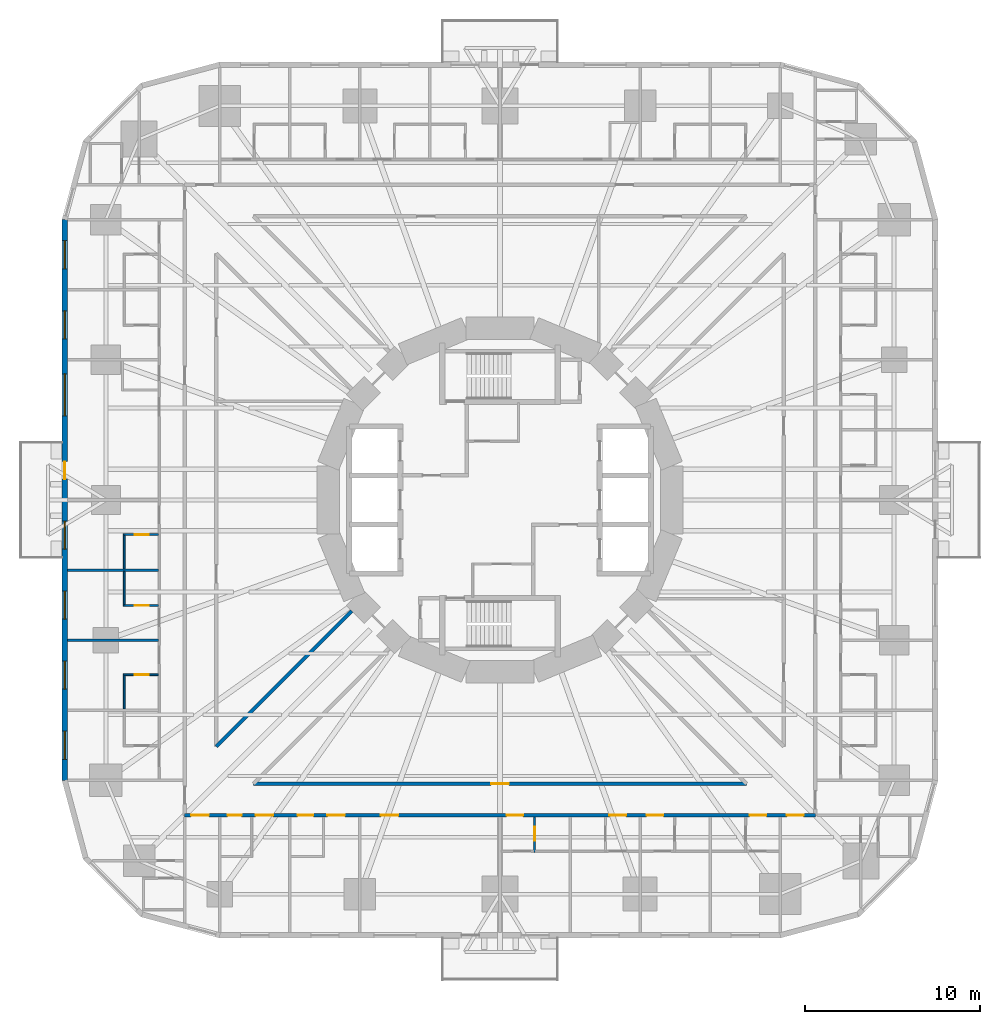
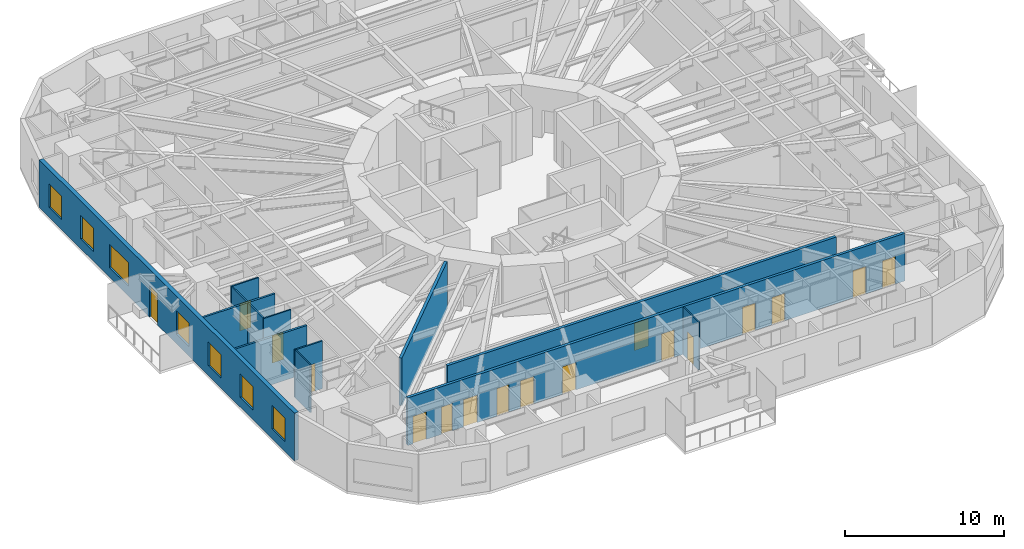
# One storey, part 5 of 14: 17 doors, 13 walls, 7 windows, 24 openings.
"""IFC4 building model written with IfcOpenShell, lengths in metres."""

from ifc_helpers import new_model, si_unit, direction, frame, frame_2d, origin, place, context, subcontext, project, spatial, rectangle, extrude, material, layer, layer_set, type_object, element, fill, save


model = new_model("IFC4")

# Units and contexts
model_context = context("Model", 3, precision=1e-05, world=origin(), true_north=direction((0.0, 1.0)))
body_context = subcontext(model_context, "Body", "Model", "MODEL_VIEW")
ifc_project = project(units=[si_unit("LENGTHUNIT", "METRE"), si_unit("AREAUNIT", "SQUARE_METRE"), si_unit("VOLUMEUNIT", "CUBIC_METRE"), si_unit("PLANEANGLEUNIT", "RADIAN"), si_unit("MASSUNIT", "GRAM", prefix="KILO")], contexts=[model_context])

# Site, building, storey
site_placement = place(None, origin())
site = spatial("IfcSite", under=ifc_project, at=site_placement, CompositionType="ELEMENT")
building_placement = place(site_placement, origin())
building = spatial("IfcBuilding", under=site, at=building_placement, Name="Nakasero Lantern House", CompositionType="ELEMENT")
storey_placement = place(building_placement, frame((0.0, 0.0, 39.10009765625)))
storey = spatial("IfcBuildingStorey", under=building, at=storey_placement, Name="L09", CompositionType="ELEMENT", Elevation=39.10009765625)

# Wall, openings, doors
ifc_material_1 = material(Name="Blockwork", Category="masonry")
ifc_layer_1 = layer(ifc_material_1, 0.199951171875)
ifc_layer_set_1 = layer_set([ifc_layer_1], Name="Corridor wall 200")
wall_type_1 = type_object("IfcWallType", Name="Corridor wall 200", PredefinedType="PARTITIONING", material=ifc_layer_set_1)
wall_1_placement = place(storey_placement, frame((-18.0, -18.0, 0.0), z_axis=(0.0, 0.0, 1.0), x_axis=(1.0, 0.0, 0.0)))
wall_1 = element("IfcWall", 1, at=wall_1_placement, inside=storey, type_object=wall_type_1, Name="Corridor wall L09 CW3", PredefinedType="PARTITIONING", context=body_context, shape_type="SweptSolid", body=[
    extrude(rectangle(XDim=36.0, YDim=0.199951171875, at=frame_2d((18.0, 0.0))), origin(), (0.0, 0.0, 1.0), 3.64990234375),
])
opening_1_placement = place(wall_1_placement, frame((0.375, 0.0, 0.0)))
opening_1 = element("IfcOpeningElement", 2, at=opening_1_placement, cuts=wall_1, Name="Opening D07", PredefinedType="OPENING", context=body_context, shape_type="SweptSolid", body=[
    extrude(rectangle(XDim=1.0, YDim=2.10009765625, at=frame_2d((0.5, 1.050048828125))), frame((0.0, 0.119873046875, 0.0), z_axis=(0.0, -1.0, 0.0), x_axis=(1.0, 0.0, 0.0)), (0.0, 0.0, 1.0), 0.239990234375),
])
opening_2_placement = place(wall_1_placement, frame((2.449951171875, 0.0, 0.0)))
opening_2 = element("IfcOpeningElement", 3, at=opening_2_placement, cuts=wall_1, Name="Opening D15", PredefinedType="OPENING", context=body_context, shape_type="SweptSolid", body=[
    extrude(rectangle(XDim=0.800048828125, YDim=2.10009765625, at=frame_2d((0.39990234375, 1.050048828125))), frame((0.0, 0.119873046875, 0.0), z_axis=(0.0, -1.0, 0.0), x_axis=(1.0, 0.0, 0.0)), (0.0, 0.0, 1.0), 0.239990234375),
])
opening_3_placement = place(wall_1_placement, frame((4.050048828125, 0.0, 0.0)))
opening_3 = element("IfcOpeningElement", 4, at=opening_3_placement, cuts=wall_1, Name="Opening D07", PredefinedType="OPENING", context=body_context, shape_type="SweptSolid", body=[
    extrude(rectangle(XDim=1.0, YDim=2.10009765625, at=frame_2d((0.5, 1.050048828125))), frame((0.0, 0.119873046875, 0.0), z_axis=(0.0, -1.0, 0.0), x_axis=(1.0, 0.0, 0.0)), (0.0, 0.0, 1.0), 0.239990234375),
])
opening_4_placement = place(wall_1_placement, frame((6.449951171875, 0.0, 0.0)))
opening_4 = element("IfcOpeningElement", 5, at=opening_4_placement, cuts=wall_1, Name="Opening D16", PredefinedType="OPENING", context=body_context, shape_type="SweptSolid", body=[
    extrude(rectangle(XDim=0.89990234375, YDim=2.10009765625, at=frame_2d((0.449951171875, 1.050048828125))), frame((0.0, 0.119873046875, 0.0), z_axis=(0.0, -1.0, 0.0), x_axis=(1.0, 0.0, 0.0)), (0.0, 0.0, 1.0), 0.239990234375),
])
opening_5_placement = place(wall_1_placement, frame((8.14990234375, 0.0, 0.0)))
opening_5 = element("IfcOpeningElement", 6, at=opening_5_placement, cuts=wall_1, Name="Opening D07", PredefinedType="OPENING", context=body_context, shape_type="SweptSolid", body=[
    extrude(rectangle(XDim=1.0, YDim=2.10009765625, at=frame_2d((0.5, 1.050048828125))), frame((0.0, 0.119873046875, 0.0), z_axis=(0.0, -1.0, 0.0), x_axis=(1.0, 0.0, 0.0)), (0.0, 0.0, 1.0), 0.239990234375),
])
opening_6_placement = place(wall_1_placement, frame((18.375, 0.0, 0.0)))
opening_6 = element("IfcOpeningElement", 7, at=opening_6_placement, cuts=wall_1, Name="Opening D01", PredefinedType="OPENING", context=body_context, shape_type="SweptSolid", body=[
    extrude(rectangle(XDim=0.949951171875, YDim=2.10009765625, at=frame_2d((0.47509765625, 1.050048828125))), frame((0.0, 0.119873046875, 0.0), z_axis=(0.0, -1.0, 0.0), x_axis=(1.0, 0.0, 0.0)), (0.0, 0.0, 1.0), 0.239990234375),
])
opening_7_placement = place(wall_1_placement, frame((24.25, 0.0, 0.0)))
opening_7 = element("IfcOpeningElement", 8, at=opening_7_placement, cuts=wall_1, Name="Opening D01", PredefinedType="OPENING", context=body_context, shape_type="SweptSolid", body=[
    extrude(rectangle(XDim=0.949951171875, YDim=2.10009765625, at=frame_2d((0.47509765625, 1.050048828125))), frame((0.0, 0.119873046875, 0.0), z_axis=(0.0, -1.0, 0.0), x_axis=(1.0, 0.0, 0.0)), (0.0, 0.0, 1.0), 0.239990234375),
])
opening_8_placement = place(wall_1_placement, frame((26.375, 0.0, 0.0)))
opening_8 = element("IfcOpeningElement", 9, at=opening_8_placement, cuts=wall_1, Name="Opening D01", PredefinedType="OPENING", context=body_context, shape_type="SweptSolid", body=[
    extrude(rectangle(XDim=0.949951171875, YDim=2.10009765625, at=frame_2d((0.47509765625, 1.050048828125))), frame((0.0, 0.119873046875, 0.0), z_axis=(0.0, -1.0, 0.0), x_axis=(1.0, 0.0, 0.0)), (0.0, 0.0, 1.0), 0.239990234375),
])
opening_9_placement = place(wall_1_placement, frame((32.25, 0.0, 0.0)))
opening_9 = element("IfcOpeningElement", 10, at=opening_9_placement, cuts=wall_1, Name="Opening D01", PredefinedType="OPENING", context=body_context, shape_type="SweptSolid", body=[
    extrude(rectangle(XDim=0.949951171875, YDim=2.10009765625, at=frame_2d((0.47509765625, 1.050048828125))), frame((0.0, 0.119873046875, 0.0), z_axis=(0.0, -1.0, 0.0), x_axis=(1.0, 0.0, 0.0)), (0.0, 0.0, 1.0), 0.239990234375),
])
opening_10_placement = place(wall_1_placement, frame((34.375, 0.0, 0.0)))
opening_10 = element("IfcOpeningElement", 11, at=opening_10_placement, cuts=wall_1, Name="Opening D01", PredefinedType="OPENING", context=body_context, shape_type="SweptSolid", body=[
    extrude(rectangle(XDim=0.949951171875, YDim=2.10009765625, at=frame_2d((0.47509765625, 1.050048828125))), frame((0.0, 0.119873046875, 0.0), z_axis=(0.0, -1.0, 0.0), x_axis=(1.0, 0.0, 0.0)), (0.0, 0.0, 1.0), 0.239990234375),
])
opening_11_placement = place(wall_1_placement, frame((11.199951171875, 0.0, 0.0)))
opening_11 = element("IfcOpeningElement", 12, at=opening_11_placement, cuts=wall_1, Name="Opening D03", PredefinedType="OPENING", context=body_context, shape_type="SweptSolid", body=[
    extrude(rectangle(XDim=1.0, YDim=2.10009765625, at=frame_2d((0.5, 1.050048828125))), frame((0.0, 0.119873046875, 0.0), z_axis=(0.0, -1.0, 0.0), x_axis=(1.0, 0.0, 0.0)), (0.0, 0.0, 1.0), 0.239990234375),
])
ifc_material_2 = material(Name="Timber C24", Category="wood")
door_type_1 = type_object("IfcDoorType", Name="Accessible WC door 900", OperationType="SINGLE_SWING_RIGHT", PredefinedType="DOOR", material=ifc_material_2)
door_1_placement = place(opening_4_placement, origin())
door_1 = element("IfcDoor", 13, at=door_1_placement, inside=storey, type_object=door_type_1, Name="Door L09 DS3-02", OperationType="SINGLE_SWING_LEFT", OverallHeight=2.10009765625, OverallWidth=0.89990234375, PredefinedType="DOOR", context=body_context, shape_type="SweptSolid", body=[
    extrude(rectangle(XDim=0.89990234375, YDim=2.10009765625, at=frame_2d((0.449951171875, 1.050048828125))), frame((0.0, 0.02490234375, 0.0), z_axis=(0.0, -1.0, 0.0), x_axis=(1.0, 0.0, 0.0)), (0.0, 0.0, 1.0), 0.050048828125),
])
fill(opening_4, door_1)
ifc_material_3 = material(Name="Timber C24", Category="wood")
door_type_2 = type_object("IfcDoorType", Name="Bedroom door FD30S 950", OperationType="SINGLE_SWING_LEFT", PredefinedType="DOOR", material=ifc_material_3)
door_2_placement = place(opening_6_placement, origin())
door_2 = element("IfcDoor", 14, at=door_2_placement, inside=storey, type_object=door_type_2, Name="Door L09 D3-05", OperationType="SINGLE_SWING_RIGHT", OverallHeight=2.10009765625, OverallWidth=0.949951171875, PredefinedType="DOOR", context=body_context, shape_type="SweptSolid", body=[
    extrude(rectangle(XDim=0.949951171875, YDim=2.10009765625, at=frame_2d((0.47509765625, 1.050048828125))), frame((0.0, 0.02490234375, 0.0), z_axis=(0.0, -1.0, 0.0), x_axis=(1.0, 0.0, 0.0)), (0.0, 0.0, 1.0), 0.050048828125),
])
fill(opening_6, door_2)
door_3_placement = place(opening_7_placement, origin())
door_3 = element("IfcDoor", 15, at=door_3_placement, inside=storey, type_object=door_type_2, Name="Door L09 D3-06", OperationType="SINGLE_SWING_RIGHT", OverallHeight=2.10009765625, OverallWidth=0.949951171875, PredefinedType="DOOR", context=body_context, shape_type="SweptSolid", body=[
    extrude(rectangle(XDim=0.949951171875, YDim=2.10009765625, at=frame_2d((0.47509765625, 1.050048828125))), frame((0.0, 0.02490234375, 0.0), z_axis=(0.0, -1.0, 0.0), x_axis=(1.0, 0.0, 0.0)), (0.0, 0.0, 1.0), 0.050048828125),
])
fill(opening_7, door_3)
door_4_placement = place(opening_8_placement, origin())
door_4 = element("IfcDoor", 16, at=door_4_placement, inside=storey, type_object=door_type_2, Name="Door L09 D3-07", OperationType="SINGLE_SWING_RIGHT", OverallHeight=2.10009765625, OverallWidth=0.949951171875, PredefinedType="DOOR", context=body_context, shape_type="SweptSolid", body=[
    extrude(rectangle(XDim=0.949951171875, YDim=2.10009765625, at=frame_2d((0.47509765625, 1.050048828125))), frame((0.0, 0.02490234375, 0.0), z_axis=(0.0, -1.0, 0.0), x_axis=(1.0, 0.0, 0.0)), (0.0, 0.0, 1.0), 0.050048828125),
])
fill(opening_8, door_4)
door_5_placement = place(opening_9_placement, origin())
door_5 = element("IfcDoor", 17, at=door_5_placement, inside=storey, type_object=door_type_2, Name="Door L09 D3-08", OperationType="SINGLE_SWING_RIGHT", OverallHeight=2.10009765625, OverallWidth=0.949951171875, PredefinedType="DOOR", context=body_context, shape_type="SweptSolid", body=[
    extrude(rectangle(XDim=0.949951171875, YDim=2.10009765625, at=frame_2d((0.47509765625, 1.050048828125))), frame((0.0, 0.02490234375, 0.0), z_axis=(0.0, -1.0, 0.0), x_axis=(1.0, 0.0, 0.0)), (0.0, 0.0, 1.0), 0.050048828125),
])
fill(opening_9, door_5)
door_6_placement = place(opening_10_placement, origin())
door_6 = element("IfcDoor", 18, at=door_6_placement, inside=storey, type_object=door_type_2, Name="Door L09 D3-09", OperationType="SINGLE_SWING_RIGHT", OverallHeight=2.10009765625, OverallWidth=0.949951171875, PredefinedType="DOOR", context=body_context, shape_type="SweptSolid", body=[
    extrude(rectangle(XDim=0.949951171875, YDim=2.10009765625, at=frame_2d((0.47509765625, 1.050048828125))), frame((0.0, 0.02490234375, 0.0), z_axis=(0.0, -1.0, 0.0), x_axis=(1.0, 0.0, 0.0)), (0.0, 0.0, 1.0), 0.050048828125),
])
fill(opening_10, door_6)
ifc_material_4 = material(Name="Timber C24", Category="wood")
door_type_3 = type_object("IfcDoorType", Name="Cleaner's store door FD30S 800", OperationType="SINGLE_SWING_LEFT", PredefinedType="DOOR", material=ifc_material_4)
door_7_placement = place(opening_2_placement, origin())
door_7 = element("IfcDoor", 19, at=door_7_placement, inside=storey, type_object=door_type_3, Name="Door L09 DS3-01", OperationType="SINGLE_SWING_LEFT", OverallHeight=2.10009765625, OverallWidth=0.800048828125, PredefinedType="DOOR", context=body_context, shape_type="SweptSolid", body=[
    extrude(rectangle(XDim=0.800048828125, YDim=2.10009765625, at=frame_2d((0.39990234375, 1.050048828125))), frame((0.0, 0.02490234375, 0.0), z_axis=(0.0, -1.0, 0.0), x_axis=(1.0, 0.0, 0.0)), (0.0, 0.0, 1.0), 0.050048828125),
])
fill(opening_2, door_7)
ifc_material_5 = material(Name="Timber C24", Category="wood")
door_type_4 = type_object("IfcDoorType", Name="Lounge door FD30S 1000", OperationType="SINGLE_SWING_LEFT", PredefinedType="DOOR", material=ifc_material_5)
door_8_placement = place(opening_11_placement, origin())
door_8 = element("IfcDoor", 20, at=door_8_placement, inside=storey, type_object=door_type_4, Name="Door L09 DK3", OperationType="SINGLE_SWING_LEFT", OverallHeight=2.10009765625, OverallWidth=1.0, PredefinedType="DOOR", context=body_context, shape_type="SweptSolid", body=[
    extrude(rectangle(XDim=1.0, YDim=2.10009765625, at=frame_2d((0.5, 1.050048828125))), frame((0.0, 0.02490234375, 0.0), z_axis=(0.0, -1.0, 0.0), x_axis=(1.0, 0.0, 0.0)), (0.0, 0.0, 1.0), 0.050048828125),
])
fill(opening_11, door_8)
ifc_material_6 = material(Name="Timber C24", Category="wood")
door_type_5 = type_object("IfcDoorType", Name="Room door FD30S 1000", OperationType="SINGLE_SWING_LEFT", PredefinedType="DOOR", material=ifc_material_6)
door_9_placement = place(opening_1_placement, origin())
door_9 = element("IfcDoor", 21, at=door_9_placement, inside=storey, type_object=door_type_5, Name="Door L09 D3-00", OperationType="SINGLE_SWING_LEFT", OverallHeight=2.10009765625, OverallWidth=1.0, PredefinedType="DOOR", context=body_context, shape_type="SweptSolid", body=[
    extrude(rectangle(XDim=1.0, YDim=2.10009765625, at=frame_2d((0.5, 1.050048828125))), frame((0.0, 0.02490234375, 0.0), z_axis=(0.0, -1.0, 0.0), x_axis=(1.0, 0.0, 0.0)), (0.0, 0.0, 1.0), 0.050048828125),
])
fill(opening_1, door_9)
door_10_placement = place(opening_3_placement, origin())
door_10 = element("IfcDoor", 22, at=door_10_placement, inside=storey, type_object=door_type_5, Name="Door L09 D3-01", OperationType="SINGLE_SWING_LEFT", OverallHeight=2.10009765625, OverallWidth=1.0, PredefinedType="DOOR", context=body_context, shape_type="SweptSolid", body=[
    extrude(rectangle(XDim=1.0, YDim=2.10009765625, at=frame_2d((0.5, 1.050048828125))), frame((0.0, 0.02490234375, 0.0), z_axis=(0.0, -1.0, 0.0), x_axis=(1.0, 0.0, 0.0)), (0.0, 0.0, 1.0), 0.050048828125),
])
fill(opening_3, door_10)
door_11_placement = place(opening_5_placement, origin())
door_11 = element("IfcDoor", 23, at=door_11_placement, inside=storey, type_object=door_type_5, Name="Door L09 D3-02", OperationType="SINGLE_SWING_LEFT", OverallHeight=2.10009765625, OverallWidth=1.0, PredefinedType="DOOR", context=body_context, shape_type="SweptSolid", body=[
    extrude(rectangle(XDim=1.0, YDim=2.10009765625, at=frame_2d((0.5, 1.050048828125))), frame((0.0, 0.02490234375, 0.0), z_axis=(0.0, -1.0, 0.0), x_axis=(1.0, 0.0, 0.0)), (0.0, 0.0, 1.0), 0.050048828125),
])
fill(opening_5, door_11)

# Wall, opening, door
wall_2_placement = place(storey_placement, frame((-14.07861328125, -16.199951171875, 0.0), z_axis=(0.0, 0.0, 1.0), x_axis=(1.0, 0.0, 0.0)))
wall_2 = element("IfcWall", 24, at=wall_2_placement, inside=storey, type_object=wall_type_1, Name="Corridor wall L09 IW3-0", PredefinedType="PARTITIONING", context=body_context, shape_type="SweptSolid", body=[
    extrude(rectangle(XDim=28.1572265625, YDim=0.199951171875, at=frame_2d((14.07861328125, 0.0))), origin(), (0.0, 0.0, 1.0), 3.64990234375),
])
opening_12_placement = place(wall_2_placement, frame((13.57861328125, 0.0, 0.0)))
opening_12 = element("IfcOpeningElement", 25, at=opening_12_placement, cuts=wall_2, Name="Opening D07", PredefinedType="OPENING", context=body_context, shape_type="SweptSolid", body=[
    extrude(rectangle(XDim=1.0, YDim=2.10009765625, at=frame_2d((0.5, 1.050048828125))), frame((0.0, 0.119873046875, 0.0), z_axis=(0.0, -1.0, 0.0), x_axis=(1.0, 0.0, 0.0)), (0.0, 0.0, 1.0), 0.239990234375),
])
door_12_placement = place(opening_12_placement, origin())
door_12 = element("IfcDoor", 26, at=door_12_placement, inside=storey, type_object=door_type_5, Name="Door L09 DI3", OperationType="SINGLE_SWING_LEFT", OverallHeight=2.10009765625, OverallWidth=1.0, PredefinedType="DOOR", context=body_context, shape_type="SweptSolid", body=[
    extrude(rectangle(XDim=1.0, YDim=2.10009765625, at=frame_2d((0.5, 1.050048828125))), frame((0.0, 0.02490234375, 0.0), z_axis=(0.0, -1.0, 0.0), x_axis=(1.0, 0.0, 0.0)), (0.0, 0.0, 1.0), 0.050048828125),
])
fill(opening_12, door_12)

# Wall
wall_3_placement = place(storey_placement, frame((-8.45556640625, -6.334228515625, 0.0), z_axis=(0.0, 0.0, 1.0), x_axis=(-0.707106781187, -0.707106781187, 0.0)))
element("IfcWall", 27, at=wall_3_placement, inside=storey, type_object=wall_type_1, Name="Corridor wall L09 PS10b", PredefinedType="PARTITIONING", context=body_context, shape_type="SweptSolid", body=[
    extrude(rectangle(XDim=10.9521484375, YDim=0.199951171875, at=frame_2d((5.47607421875, 0.0))), origin(), (0.0, 0.0, 1.0), 3.64990234375),
])

# Wall, opening, door
ifc_material_7 = material(Name="Blockwork", Category="masonry")
ifc_layer_2 = layer(ifc_material_7, 0.10009765625)
ifc_layer_set_2 = layer_set([ifc_layer_2], Name="En-suite wall 100")
wall_type_2 = type_object("IfcWallType", Name="En-suite wall 100", PredefinedType="PARTITIONING", material=ifc_layer_set_2)
wall_4_placement = place(storey_placement, frame((-19.5, -1.97509765625, 0.0), z_axis=(0.0, 0.0, 1.0), x_axis=(-1.0, 0.0, 0.0)))
wall_4 = element("IfcWall", 28, at=wall_4_placement, inside=storey, type_object=wall_type_2, Name="En-suite wall L09 ES2-05", PredefinedType="PARTITIONING", context=body_context, shape_type="SweptSolid", body=[
    extrude(rectangle(XDim=2.0, YDim=0.10009765625, at=frame_2d((1.0, 0.0))), origin(), (0.0, 0.0, 1.0), 3.64990234375),
])
opening_13_placement = place(wall_4_placement, frame((0.550048828125, 0.0, 0.0)))
opening_13 = element("IfcOpeningElement", 29, at=opening_13_placement, cuts=wall_4, Name="Opening D02", PredefinedType="OPENING", context=body_context, shape_type="SweptSolid", body=[
    extrude(rectangle(XDim=0.800048828125, YDim=2.10009765625, at=frame_2d((0.39990234375, 1.050048828125))), frame((0.0, 0.070068359375, 0.0), z_axis=(0.0, -1.0, 0.0), x_axis=(1.0, 0.0, 0.0)), (0.0, 0.0, 1.0), 0.14013671875),
])
ifc_material_8 = material(Name="Timber C24", Category="wood")
door_type_6 = type_object("IfcDoorType", Name="En-suite door 800", OperationType="SINGLE_SWING_RIGHT", PredefinedType="DOOR", material=ifc_material_8)
door_13_placement = place(opening_13_placement, origin())
door_13 = element("IfcDoor", 30, at=door_13_placement, inside=storey, type_object=door_type_6, Name="Door L09 DE2-05", OperationType="SINGLE_SWING_LEFT", OverallHeight=2.10009765625, OverallWidth=0.800048828125, PredefinedType="DOOR", context=body_context, shape_type="SweptSolid", body=[
    extrude(rectangle(XDim=0.800048828125, YDim=2.10009765625, at=frame_2d((0.39990234375, 1.050048828125))), frame((0.0, 0.02490234375, 0.0), z_axis=(0.0, -1.0, 0.0), x_axis=(1.0, 0.0, 0.0)), (0.0, 0.0, 1.0), 0.050048828125),
])
fill(opening_13, door_13)

# Wall
wall_5_placement = place(storey_placement, frame((-21.449951171875, -2.02490234375, 0.0), z_axis=(0.0, 0.0, 1.0), x_axis=(0.0, -1.0, 0.0)))
element("IfcWall", 31, at=wall_5_placement, inside=storey, type_object=wall_type_2, Name="En-suite wall L09 EE2-05", PredefinedType="PARTITIONING", context=body_context, shape_type="SweptSolid", body=[
    extrude(rectangle(XDim=1.900146484375, YDim=0.10009765625, at=frame_2d((0.9501953125, 0.0))), origin(), (0.0, 0.0, 1.0), 3.64990234375),
])

# Wall, opening, door
wall_6_placement = place(storey_placement, frame((-19.5, -6.02490234375, 0.0), z_axis=(0.0, 0.0, 1.0), x_axis=(-1.0, 0.0, 0.0)))
wall_6 = element("IfcWall", 32, at=wall_6_placement, inside=storey, type_object=wall_type_2, Name="En-suite wall L09 ES2-06", PredefinedType="PARTITIONING", context=body_context, shape_type="SweptSolid", body=[
    extrude(rectangle(XDim=2.0, YDim=0.10009765625, at=frame_2d((1.0, 0.0))), origin(), (0.0, 0.0, 1.0), 3.64990234375),
])
opening_14_placement = place(wall_6_placement, frame((0.550048828125, 0.0, 0.0)))
opening_14 = element("IfcOpeningElement", 33, at=opening_14_placement, cuts=wall_6, Name="Opening D02", PredefinedType="OPENING", context=body_context, shape_type="SweptSolid", body=[
    extrude(rectangle(XDim=0.800048828125, YDim=2.10009765625, at=frame_2d((0.39990234375, 1.050048828125))), frame((0.0, 0.070068359375, 0.0), z_axis=(0.0, -1.0, 0.0), x_axis=(1.0, 0.0, 0.0)), (0.0, 0.0, 1.0), 0.14013671875),
])
door_14_placement = place(opening_14_placement, origin())
door_14 = element("IfcDoor", 34, at=door_14_placement, inside=storey, type_object=door_type_6, Name="Door L09 DE2-06", OperationType="SINGLE_SWING_LEFT", OverallHeight=2.10009765625, OverallWidth=0.800048828125, PredefinedType="DOOR", context=body_context, shape_type="SweptSolid", body=[
    extrude(rectangle(XDim=0.800048828125, YDim=2.10009765625, at=frame_2d((0.39990234375, 1.050048828125))), frame((0.0, 0.02490234375, 0.0), z_axis=(0.0, -1.0, 0.0), x_axis=(1.0, 0.0, 0.0)), (0.0, 0.0, 1.0), 0.050048828125),
])
fill(opening_14, door_14)

# Wall
wall_7_placement = place(storey_placement, frame((-21.449951171875, -4.074951171875, 0.0), z_axis=(0.0, 0.0, 1.0), x_axis=(0.0, -1.0, 0.0)))
element("IfcWall", 35, at=wall_7_placement, inside=storey, type_object=wall_type_2, Name="En-suite wall L09 EE2-06", PredefinedType="PARTITIONING", context=body_context, shape_type="SweptSolid", body=[
    extrude(rectangle(XDim=1.900146484375, YDim=0.10009765625, at=frame_2d((0.9501953125, 0.0))), origin(), (0.0, 0.0, 1.0), 3.64990234375),
])

# Wall, opening, door
wall_8_placement = place(storey_placement, frame((-19.5, -9.97509765625, 0.0), z_axis=(0.0, 0.0, 1.0), x_axis=(-1.0, 0.0, 0.0)))
wall_8 = element("IfcWall", 36, at=wall_8_placement, inside=storey, type_object=wall_type_2, Name="En-suite wall L09 ES2-07", PredefinedType="PARTITIONING", context=body_context, shape_type="SweptSolid", body=[
    extrude(rectangle(XDim=2.0, YDim=0.10009765625, at=frame_2d((1.0, 0.0))), origin(), (0.0, 0.0, 1.0), 3.64990234375),
])
opening_15_placement = place(wall_8_placement, frame((0.550048828125, 0.0, 0.0)))
opening_15 = element("IfcOpeningElement", 37, at=opening_15_placement, cuts=wall_8, Name="Opening D02", PredefinedType="OPENING", context=body_context, shape_type="SweptSolid", body=[
    extrude(rectangle(XDim=0.800048828125, YDim=2.10009765625, at=frame_2d((0.39990234375, 1.050048828125))), frame((0.0, 0.070068359375, 0.0), z_axis=(0.0, -1.0, 0.0), x_axis=(1.0, 0.0, 0.0)), (0.0, 0.0, 1.0), 0.14013671875),
])
door_15_placement = place(opening_15_placement, origin())
door_15 = element("IfcDoor", 38, at=door_15_placement, inside=storey, type_object=door_type_6, Name="Door L09 DE2-07", OperationType="SINGLE_SWING_LEFT", OverallHeight=2.10009765625, OverallWidth=0.800048828125, PredefinedType="DOOR", context=body_context, shape_type="SweptSolid", body=[
    extrude(rectangle(XDim=0.800048828125, YDim=2.10009765625, at=frame_2d((0.39990234375, 1.050048828125))), frame((0.0, 0.02490234375, 0.0), z_axis=(0.0, -1.0, 0.0), x_axis=(1.0, 0.0, 0.0)), (0.0, 0.0, 1.0), 0.050048828125),
])
fill(opening_15, door_15)

# Wall
wall_9_placement = place(storey_placement, frame((-21.449951171875, -10.02490234375, 0.0), z_axis=(0.0, 0.0, 1.0), x_axis=(0.0, -1.0, 0.0)))
element("IfcWall", 39, at=wall_9_placement, inside=storey, type_object=wall_type_2, Name="En-suite wall L09 EE2-07", PredefinedType="PARTITIONING", context=body_context, shape_type="SweptSolid", body=[
    extrude(rectangle(XDim=1.900146484375, YDim=0.10009765625, at=frame_2d((0.9501953125, 0.0))), origin(), (0.0, 0.0, 1.0), 3.64990234375),
])

# Wall, opening, door
wall_10_placement = place(storey_placement, frame((1.97509765625, -18.10009765625, 0.0), z_axis=(0.0, 0.0, 1.0), x_axis=(0.0, -1.0, 0.0)))
wall_10 = element("IfcWall", 40, at=wall_10_placement, inside=storey, type_object=wall_type_2, Name="En-suite wall L09 ES3-05", PredefinedType="PARTITIONING", context=body_context, shape_type="SweptSolid", body=[
    extrude(rectangle(XDim=2.0, YDim=0.10009765625, at=frame_2d((1.0, 0.0))), origin(), (0.0, 0.0, 1.0), 3.64990234375),
])
opening_16_placement = place(wall_10_placement, frame((0.550048828125, 0.0, 0.0)))
opening_16 = element("IfcOpeningElement", 41, at=opening_16_placement, cuts=wall_10, Name="Opening D02", PredefinedType="OPENING", context=body_context, shape_type="SweptSolid", body=[
    extrude(rectangle(XDim=0.800048828125, YDim=2.10009765625, at=frame_2d((0.39990234375, 1.050048828125))), frame((0.0, 0.070068359375, 0.0), z_axis=(0.0, -1.0, 0.0), x_axis=(1.0, 0.0, 0.0)), (0.0, 0.0, 1.0), 0.14013671875),
])
door_16_placement = place(opening_16_placement, origin())
door_16 = element("IfcDoor", 42, at=door_16_placement, inside=storey, type_object=door_type_6, Name="Door L09 DE3-05", OperationType="SINGLE_SWING_LEFT", OverallHeight=2.10009765625, OverallWidth=0.800048828125, PredefinedType="DOOR", context=body_context, shape_type="SweptSolid", body=[
    extrude(rectangle(XDim=0.800048828125, YDim=2.10009765625, at=frame_2d((0.39990234375, 1.050048828125))), frame((0.0, 0.02490234375, 0.0), z_axis=(0.0, -1.0, 0.0), x_axis=(1.0, 0.0, 0.0)), (0.0, 0.0, 1.0), 0.050048828125),
])
fill(opening_16, door_16)

# Wall, openings, door, windows
ifc_material_9 = material(Name="Aluminium rainscreen on blockwork", Category="masonry")
ifc_layer_3 = layer(ifc_material_9, 0.300048828125)
ifc_layer_set_3 = layer_set([ifc_layer_3], Name="Facade wall 300")
wall_type_3 = type_object("IfcWallType", Name="Facade wall 300", PredefinedType="SOLIDWALL", material=ifc_layer_set_3)
wall_11_placement = place(storey_placement, frame((-24.85009765625, 16.0, 0.0), z_axis=(0.0, 0.0, 1.0), x_axis=(0.0, -1.0, 0.0)))
wall_11 = element("IfcWall", 43, at=wall_11_placement, inside=storey, type_object=wall_type_3, Name="Facade wall L09 FW2S", PredefinedType="SOLIDWALL", context=body_context, shape_type="SweptSolid", body=[
    extrude(rectangle(XDim=32.0, YDim=0.300048828125, at=frame_2d((16.0, 0.0))), origin(), (0.0, 0.0, 1.0), 3.64990234375),
])
opening_17_placement = place(wall_11_placement, frame((1.199951171875, 0.0, 0.75)))
opening_17 = element("IfcOpeningElement", 44, at=opening_17_placement, cuts=wall_11, Name="Opening W01", PredefinedType="OPENING", context=body_context, shape_type="SweptSolid", body=[
    extrude(rectangle(XDim=1.60009765625, YDim=1.800048828125, at=frame_2d((0.800048828125, 0.89990234375))), frame((0.0, 0.169921875, 0.0), z_axis=(0.0, -1.0, 0.0), x_axis=(1.0, 0.0, 0.0)), (0.0, 0.0, 1.0), 0.340087890625),
])
opening_18_placement = place(wall_11_placement, frame((5.199951171875, 0.0, 0.75)))
opening_18 = element("IfcOpeningElement", 45, at=opening_18_placement, cuts=wall_11, Name="Opening W01", PredefinedType="OPENING", context=body_context, shape_type="SweptSolid", body=[
    extrude(rectangle(XDim=1.60009765625, YDim=1.800048828125, at=frame_2d((0.800048828125, 0.89990234375))), frame((0.0, 0.169921875, 0.0), z_axis=(0.0, -1.0, 0.0), x_axis=(1.0, 0.0, 0.0)), (0.0, 0.0, 1.0), 0.340087890625),
])
opening_19_placement = place(wall_11_placement, frame((17.199951171875, 0.0, 0.75)))
opening_19 = element("IfcOpeningElement", 46, at=opening_19_placement, cuts=wall_11, Name="Opening W01", PredefinedType="OPENING", context=body_context, shape_type="SweptSolid", body=[
    extrude(rectangle(XDim=1.60009765625, YDim=1.800048828125, at=frame_2d((0.800048828125, 0.89990234375))), frame((0.0, 0.169921875, 0.0), z_axis=(0.0, -1.0, 0.0), x_axis=(1.0, 0.0, 0.0)), (0.0, 0.0, 1.0), 0.340087890625),
])
opening_20_placement = place(wall_11_placement, frame((21.199951171875, 0.0, 0.75)))
opening_20 = element("IfcOpeningElement", 47, at=opening_20_placement, cuts=wall_11, Name="Opening W01", PredefinedType="OPENING", context=body_context, shape_type="SweptSolid", body=[
    extrude(rectangle(XDim=1.60009765625, YDim=1.800048828125, at=frame_2d((0.800048828125, 0.89990234375))), frame((0.0, 0.169921875, 0.0), z_axis=(0.0, -1.0, 0.0), x_axis=(1.0, 0.0, 0.0)), (0.0, 0.0, 1.0), 0.340087890625),
])
opening_21_placement = place(wall_11_placement, frame((25.199951171875, 0.0, 0.75)))
opening_21 = element("IfcOpeningElement", 48, at=opening_21_placement, cuts=wall_11, Name="Opening W01", PredefinedType="OPENING", context=body_context, shape_type="SweptSolid", body=[
    extrude(rectangle(XDim=1.60009765625, YDim=1.800048828125, at=frame_2d((0.800048828125, 0.89990234375))), frame((0.0, 0.169921875, 0.0), z_axis=(0.0, -1.0, 0.0), x_axis=(1.0, 0.0, 0.0)), (0.0, 0.0, 1.0), 0.340087890625),
])
opening_22_placement = place(wall_11_placement, frame((29.199951171875, 0.0, 0.75)))
opening_22 = element("IfcOpeningElement", 49, at=opening_22_placement, cuts=wall_11, Name="Opening W01", PredefinedType="OPENING", context=body_context, shape_type="SweptSolid", body=[
    extrude(rectangle(XDim=1.60009765625, YDim=1.800048828125, at=frame_2d((0.800048828125, 0.89990234375))), frame((0.0, 0.169921875, 0.0), z_axis=(0.0, -1.0, 0.0), x_axis=(1.0, 0.0, 0.0)), (0.0, 0.0, 1.0), 0.340087890625),
])
opening_23_placement = place(wall_11_placement, frame((8.800048828125, 0.0, 0.75)))
opening_23 = element("IfcOpeningElement", 50, at=opening_23_placement, cuts=wall_11, Name="Opening W03", PredefinedType="OPENING", context=body_context, shape_type="SweptSolid", body=[
    extrude(rectangle(XDim=2.39990234375, YDim=1.800048828125, at=frame_2d((1.199951171875, 0.89990234375))), frame((0.0, 0.169921875, 0.0), z_axis=(0.0, -1.0, 0.0), x_axis=(1.0, 0.0, 0.0)), (0.0, 0.0, 1.0), 0.340087890625),
])
opening_24_placement = place(wall_11_placement, frame((13.8125, 0.0, 0.0)))
opening_24 = element("IfcOpeningElement", 51, at=opening_24_placement, cuts=wall_11, Name="Opening D04", PredefinedType="OPENING", context=body_context, shape_type="SweptSolid", body=[
    extrude(rectangle(XDim=1.0, YDim=2.39990234375, at=frame_2d((0.5, 1.199951171875))), frame((0.0, 0.169921875, 0.0), z_axis=(0.0, -1.0, 0.0), x_axis=(1.0, 0.0, 0.0)), (0.0, 0.0, 1.0), 0.340087890625),
])
ifc_material_10 = material(Name="Aluminium 6063-T6 and glass", Category="aluminium")
door_type_7 = type_object("IfcDoorType", Name="Balcony door 1000x2400", OperationType="SINGLE_SWING_RIGHT", PredefinedType="DOOR", material=ifc_material_10)
door_17_placement = place(opening_24_placement, origin())
door_17 = element("IfcDoor", 52, at=door_17_placement, inside=storey, type_object=door_type_7, Name="Balcony door L09 DB2", OperationType="SINGLE_SWING_RIGHT", OverallHeight=2.39990234375, OverallWidth=1.0, PredefinedType="DOOR", context=body_context, shape_type="SweptSolid", body=[
    extrude(rectangle(XDim=1.0, YDim=2.39990234375, at=frame_2d((0.5, 1.199951171875))), frame((0.0, 0.02490234375, 0.0), z_axis=(0.0, -1.0, 0.0), x_axis=(1.0, 0.0, 0.0)), (0.0, 0.0, 1.0), 0.050048828125),
])
fill(opening_24, door_17)
ifc_material_11 = material(Name="Aluminium 6063-T6 and glass", Category="aluminium")
window_type_1 = type_object("IfcWindowType", Name="Bedroom window 1600x1800", PartitioningType="SINGLE_PANEL", PredefinedType="WINDOW", material=ifc_material_11)
window_1_placement = place(opening_17_placement, origin())
window_1 = element("IfcWindow", 53, at=window_1_placement, inside=storey, type_object=window_type_1, Name="Window L09 WN2-01", OverallHeight=1.800048828125, OverallWidth=1.60009765625, PartitioningType="SINGLE_PANEL", PredefinedType="WINDOW", context=body_context, shape_type="SweptSolid", body=[
    extrude(rectangle(XDim=1.60009765625, YDim=1.800048828125, at=frame_2d((0.800048828125, 0.89990234375))), frame((0.0, 0.030029296875, 0.0), z_axis=(0.0, -1.0, 0.0), x_axis=(1.0, 0.0, 0.0)), (0.0, 0.0, 1.0), 0.06005859375),
])
fill(opening_17, window_1)
window_2_placement = place(opening_18_placement, origin())
window_2 = element("IfcWindow", 54, at=window_2_placement, inside=storey, type_object=window_type_1, Name="Window L09 WN2-02", OverallHeight=1.800048828125, OverallWidth=1.60009765625, PartitioningType="SINGLE_PANEL", PredefinedType="WINDOW", context=body_context, shape_type="SweptSolid", body=[
    extrude(rectangle(XDim=1.60009765625, YDim=1.800048828125, at=frame_2d((0.800048828125, 0.89990234375))), frame((0.0, 0.030029296875, 0.0), z_axis=(0.0, -1.0, 0.0), x_axis=(1.0, 0.0, 0.0)), (0.0, 0.0, 1.0), 0.06005859375),
])
fill(opening_18, window_2)
window_3_placement = place(opening_19_placement, origin())
window_3 = element("IfcWindow", 55, at=window_3_placement, inside=storey, type_object=window_type_1, Name="Window L09 WN2-05", OverallHeight=1.800048828125, OverallWidth=1.60009765625, PartitioningType="SINGLE_PANEL", PredefinedType="WINDOW", context=body_context, shape_type="SweptSolid", body=[
    extrude(rectangle(XDim=1.60009765625, YDim=1.800048828125, at=frame_2d((0.800048828125, 0.89990234375))), frame((0.0, 0.030029296875, 0.0), z_axis=(0.0, -1.0, 0.0), x_axis=(1.0, 0.0, 0.0)), (0.0, 0.0, 1.0), 0.06005859375),
])
fill(opening_19, window_3)
window_4_placement = place(opening_20_placement, origin())
window_4 = element("IfcWindow", 56, at=window_4_placement, inside=storey, type_object=window_type_1, Name="Window L09 WN2-06", OverallHeight=1.800048828125, OverallWidth=1.60009765625, PartitioningType="SINGLE_PANEL", PredefinedType="WINDOW", context=body_context, shape_type="SweptSolid", body=[
    extrude(rectangle(XDim=1.60009765625, YDim=1.800048828125, at=frame_2d((0.800048828125, 0.89990234375))), frame((0.0, 0.030029296875, 0.0), z_axis=(0.0, -1.0, 0.0), x_axis=(1.0, 0.0, 0.0)), (0.0, 0.0, 1.0), 0.06005859375),
])
fill(opening_20, window_4)
window_5_placement = place(opening_21_placement, origin())
window_5 = element("IfcWindow", 57, at=window_5_placement, inside=storey, type_object=window_type_1, Name="Window L09 WN2-07", OverallHeight=1.800048828125, OverallWidth=1.60009765625, PartitioningType="SINGLE_PANEL", PredefinedType="WINDOW", context=body_context, shape_type="SweptSolid", body=[
    extrude(rectangle(XDim=1.60009765625, YDim=1.800048828125, at=frame_2d((0.800048828125, 0.89990234375))), frame((0.0, 0.030029296875, 0.0), z_axis=(0.0, -1.0, 0.0), x_axis=(1.0, 0.0, 0.0)), (0.0, 0.0, 1.0), 0.06005859375),
])
fill(opening_21, window_5)
window_6_placement = place(opening_22_placement, origin())
window_6 = element("IfcWindow", 58, at=window_6_placement, inside=storey, type_object=window_type_1, Name="Window L09 WN2-08", OverallHeight=1.800048828125, OverallWidth=1.60009765625, PartitioningType="SINGLE_PANEL", PredefinedType="WINDOW", context=body_context, shape_type="SweptSolid", body=[
    extrude(rectangle(XDim=1.60009765625, YDim=1.800048828125, at=frame_2d((0.800048828125, 0.89990234375))), frame((0.0, 0.030029296875, 0.0), z_axis=(0.0, -1.0, 0.0), x_axis=(1.0, 0.0, 0.0)), (0.0, 0.0, 1.0), 0.06005859375),
])
fill(opening_22, window_6)
ifc_material_12 = material(Name="Aluminium 6063-T6 and glass", Category="aluminium")
window_type_2 = type_object("IfcWindowType", Name="Lounge window 2400x1800", PartitioningType="SINGLE_PANEL", PredefinedType="WINDOW", material=ifc_material_12)
window_7_placement = place(opening_23_placement, origin())
window_7 = element("IfcWindow", 59, at=window_7_placement, inside=storey, type_object=window_type_2, Name="Window L09 WK2", OverallHeight=1.800048828125, OverallWidth=2.39990234375, PartitioningType="SINGLE_PANEL", PredefinedType="WINDOW", context=body_context, shape_type="SweptSolid", body=[
    extrude(rectangle(XDim=2.39990234375, YDim=1.800048828125, at=frame_2d((1.199951171875, 0.89990234375))), frame((0.0, 0.030029296875, 0.0), z_axis=(0.0, -1.0, 0.0), x_axis=(1.0, 0.0, 0.0)), (0.0, 0.0, 1.0), 0.06005859375),
])
fill(opening_23, window_7)

# Walls
ifc_material_13 = material(Name="Blockwork", Category="masonry")
ifc_layer_4 = layer(ifc_material_13, 0.14990234375)
ifc_layer_set_4 = layer_set([ifc_layer_4], Name="Party wall 150")
wall_type_4 = type_object("IfcWallType", Name="Party wall 150", PredefinedType="PARTITIONING", material=ifc_layer_set_4)
for number, where, z_axis, x_axis, name in (
    (60, (-19.5, -4.0, 0.0), (0.0, 0.0, 1.0), (-1.0, 0.0, 0.0), "Party wall L09 PW2-06"),
    (61, (-19.5, -8.0, 0.0), (0.0, 0.0, 1.0), (-1.0, 0.0, 0.0), "Party wall L09 PW2-07"),
):
    element("IfcWall", number, at=place(storey_placement, frame(where, z_axis=z_axis, x_axis=x_axis)), inside=storey, type_object=wall_type_4, Name=name, PredefinedType="PARTITIONING", context=body_context, shape_type="SweptSolid", body=[
        extrude(rectangle(XDim=5.199951171875, YDim=0.14990234375, at=frame_2d((2.60009765625, 0.0))), origin(), (0.0, 0.0, 1.0), 3.64990234375),
    ])

save(model, "model.ifc")
